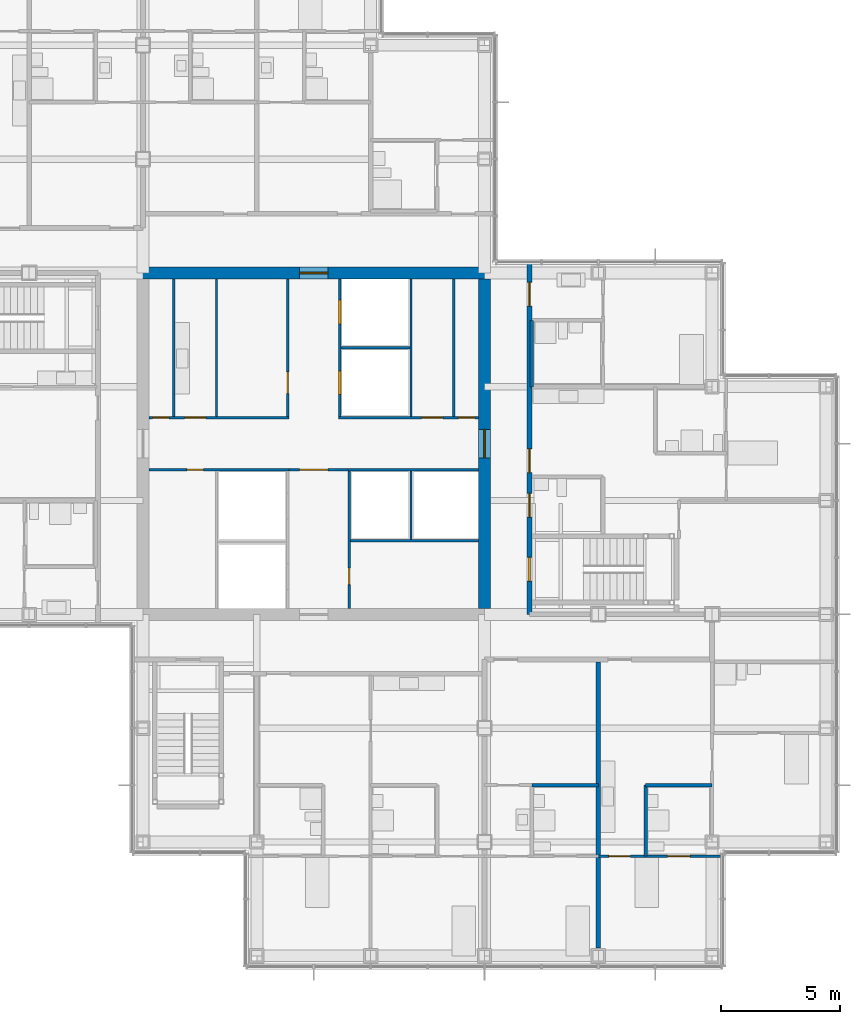
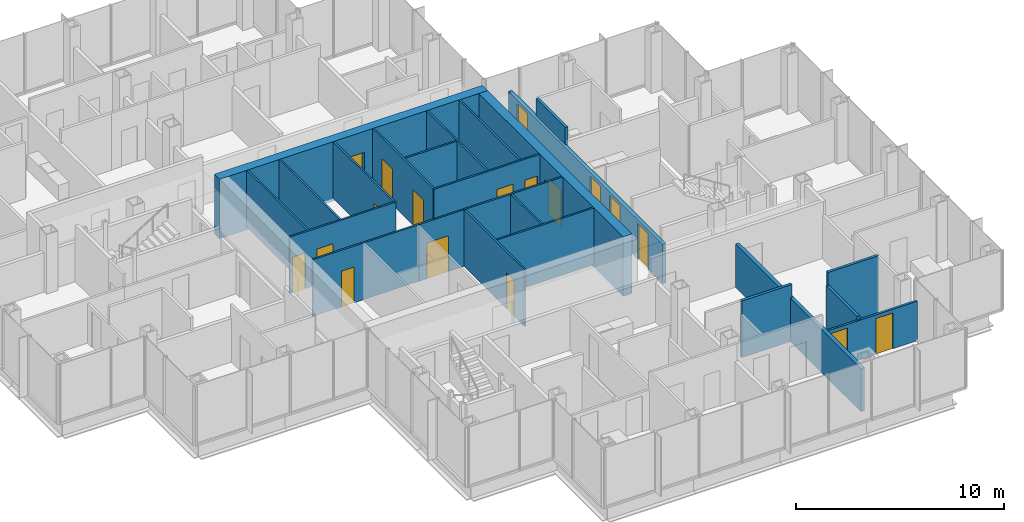
# One storey, part 15 of 20: 24 walls, 18 doors, 18 openings.
"""IFC4 building model written with IfcOpenShell, lengths in metres."""

from ifc_helpers import new_model, si_unit, direction, frame, frame_2d, origin, place, context, subcontext, project, spatial, rectangle, extrude, material, layer, layer_set, type_object, element, fill, save


model = new_model("IFC4")

# Units and contexts
model_context = context("Model", 3, precision=1e-05, world=origin(), true_north=direction((0.0, 1.0)))
body_context = subcontext(model_context, "Body", "Model", "MODEL_VIEW")
ifc_project = project(units=[si_unit("LENGTHUNIT", "METRE"), si_unit("AREAUNIT", "SQUARE_METRE"), si_unit("VOLUMEUNIT", "CUBIC_METRE"), si_unit("PLANEANGLEUNIT", "RADIAN"), si_unit("MASSUNIT", "GRAM", prefix="KILO")], contexts=[model_context])

# Site, building, storey
site_placement = place(None, origin())
site = spatial("IfcSite", under=ifc_project, at=site_placement, CompositionType="ELEMENT")
building_placement = place(site_placement, origin())
building = spatial("IfcBuilding", under=site, at=building_placement, Name="Kvirike Care Tower", CompositionType="ELEMENT")
storey_placement = place(building_placement, frame((0.0, 0.0, 122.5)))
storey = spatial("IfcBuildingStorey", under=building, at=storey_placement, Name="L33", CompositionType="ELEMENT", Elevation=122.5)

# Walls
ifc_material_1 = material(Name="Moisture-resistant board partition", Category="gypsum")
ifc_layer_1 = layer(ifc_material_1, 0.14990234375)
ifc_layer_set_1 = layer_set([ifc_layer_1], Name="BATHROOM WALL 150")
wall_type_1 = type_object("IfcWallType", Name="BATHROOM WALL 150", PredefinedType="PARTITIONING", material=ifc_layer_set_1)
wall_1_placement = place(storey_placement, frame((30.800048828125, 21.60009765625, 0.0), z_axis=(0.0, 0.0, 1.0), x_axis=(1.0, 0.0, 0.0)))
element("IfcWall", 1, at=wall_1_placement, inside=storey, type_object=wall_type_1, Name="Bathroom Wall 150 L33", PredefinedType="PARTITIONING", context=body_context, shape_type="SweptSolid", body=[
    extrude(rectangle(XDim=2.800048828125, YDim=0.14990234375, at=frame_2d((1.39990234375, 0.0))), origin(), (0.0, 0.0, 1.0), 3.330078125),
])
wall_2_placement = place(storey_placement, frame((35.60009765625, 18.60009765625, 0.0), z_axis=(0.0, 0.0, 1.0), x_axis=(0.0, 1.0, 0.0)))
element("IfcWall", 2, at=wall_2_placement, inside=storey, type_object=wall_type_1, Name="Bathroom Wall 150 L33", PredefinedType="PARTITIONING", context=body_context, shape_type="SweptSolid", body=[
    extrude(rectangle(XDim=3.0, YDim=0.14990234375, at=frame_2d((1.5, 0.0))), origin(), (0.0, 0.0, 1.0), 2.550048828125),
])
wall_3_placement = place(storey_placement, frame((35.60009765625, 21.60009765625, 0.0), z_axis=(0.0, 0.0, 1.0), x_axis=(1.0, 0.0, 0.0)))
element("IfcWall", 3, at=wall_3_placement, inside=storey, type_object=wall_type_1, Name="Bathroom Wall 150 L33", PredefinedType="PARTITIONING", context=body_context, shape_type="SweptSolid", body=[
    extrude(rectangle(XDim=2.7998046875, YDim=0.14990234375, at=frame_2d((1.39990234375, 0.0))), origin(), (0.0, 0.0, 1.0), 3.330078125),
])
wall_4_placement = place(storey_placement, frame((30.800048828125, 38.39990234375, 0.0), z_axis=(0.0, 0.0, 1.0), x_axis=(0.0, 1.0, 0.0)))
element("IfcWall", 4, at=wall_4_placement, inside=storey, type_object=wall_type_1, Name="Bathroom Wall 150 L33", PredefinedType="PARTITIONING", context=body_context, shape_type="SweptSolid", body=[
    extrude(rectangle(XDim=2.800048828125, YDim=0.14990234375, at=frame_2d((1.39990234375, 0.0))), origin(), (0.0, 0.0, 1.0), 3.330078125),
])

# Wall, opening, door
ifc_material_2 = material(Name="Concrete C50/60", Category="concrete")
ifc_layer_2 = layer(ifc_material_2, 0.5)
ifc_layer_set_2 = layer_set([ifc_layer_2], Name="CORE WALL 500 C50-60")
wall_type_2 = type_object("IfcWallType", Name="CORE WALL 500 C50-60", PredefinedType="SHEAR", material=ifc_layer_set_2)
wall_5_placement = place(storey_placement, frame((29.050048828125, 43.199951171875, -0.169921875), z_axis=(0.0, 0.0, 1.0), x_axis=(-1.0, 0.0, 0.0)))
wall_5 = element("IfcWall", 5, at=wall_5_placement, inside=storey, type_object=wall_type_2, Name="Core wall N L33", PredefinedType="SHEAR", context=body_context, shape_type="SweptSolid", body=[
    extrude(rectangle(XDim=14.900146484375, YDim=0.5, at=frame_2d((7.4501953125, 0.0))), origin(), (0.0, 0.0, 1.0), 3.5),
])
opening_1_placement = place(wall_5_placement, frame((6.85009765625, 0.0, 0.169921875)))
opening_1 = element("IfcOpeningElement", 6, at=opening_1_placement, cuts=wall_5, Name="Opening 33-071", PredefinedType="OPENING", context=body_context, shape_type="SweptSolid", body=[
    extrude(rectangle(XDim=1.199951171875, YDim=2.10009765625, at=frame_2d((0.60009765625, 1.050048828125))), frame((0.0, 0.260498046875, 0.0), z_axis=(0.0, -1.0, 0.0), x_axis=(1.0, 0.0, 0.0)), (0.0, 0.0, 1.0), 0.52099609375),
])
ifc_material_3 = material(Name="Timber door set", Category="wood")
door_type_1 = type_object("IfcDoorType", Name="CORE DOOR 1200", OperationType="SINGLE_SWING_LEFT", PredefinedType="DOOR", material=ifc_material_3)
door_1_placement = place(opening_1_placement, origin())
door_1 = element("IfcDoor", 7, at=door_1_placement, inside=storey, type_object=door_type_1, Name="Core door N L33", OperationType="SINGLE_SWING_LEFT", OverallHeight=2.10009765625, OverallWidth=1.199951171875, PredefinedType="DOOR", context=body_context, shape_type="SweptSolid", body=[
    extrude(rectangle(XDim=1.199951171875, YDim=2.10009765625, at=frame_2d((0.60009765625, 1.050048828125))), frame((0.0, 0.02685546875, 0.0), z_axis=(0.0, -1.0, 0.0), x_axis=(1.0, 0.0, 0.0)), (0.0, 0.0, 1.0), 0.053955078125),
])
fill(opening_1, door_1)

wall_6_placement = place(storey_placement, frame((28.800048828125, 29.050048828125, -0.169921875), z_axis=(0.0, 0.0, 1.0), x_axis=(0.0, 1.0, 0.0)))
wall_6 = element("IfcWall", 8, at=wall_6_placement, inside=storey, type_object=wall_type_2, Name="Core wall E L33", PredefinedType="SHEAR", context=body_context, shape_type="SweptSolid", body=[
    extrude(rectangle(XDim=13.89990234375, YDim=0.5, at=frame_2d((6.949951171875, 0.0))), origin(), (0.0, 0.0, 1.0), 3.5),
])
opening_2_placement = place(wall_6_placement, frame((6.35009765625, 0.0, 0.169921875)))
opening_2 = element("IfcOpeningElement", 9, at=opening_2_placement, cuts=wall_6, Name="Opening 33-070", PredefinedType="OPENING", context=body_context, shape_type="SweptSolid", body=[
    extrude(rectangle(XDim=1.199951171875, YDim=2.10009765625, at=frame_2d((0.60009765625, 1.050048828125))), frame((0.0, 0.260498046875, 0.0), z_axis=(0.0, -1.0, 0.0), x_axis=(1.0, 0.0, 0.0)), (0.0, 0.0, 1.0), 0.52099609375),
])
door_2_placement = place(opening_2_placement, origin())
door_2 = element("IfcDoor", 10, at=door_2_placement, inside=storey, type_object=door_type_1, Name="Core door E L33", OperationType="SINGLE_SWING_LEFT", OverallHeight=2.10009765625, OverallWidth=1.199951171875, PredefinedType="DOOR", context=body_context, shape_type="SweptSolid", body=[
    extrude(rectangle(XDim=1.199951171875, YDim=2.10009765625, at=frame_2d((0.60009765625, 1.050048828125))), frame((0.0, 0.02685546875, 0.0), z_axis=(0.0, -1.0, 0.0), x_axis=(1.0, 0.0, 0.0)), (0.0, 0.0, 1.0), 0.053955078125),
])
fill(opening_2, door_2)

# Wall, openings, doors
ifc_material_4 = material(Name="Plasterboard corridor wall", Category="gypsum")
ifc_layer_3 = layer(ifc_material_4, 0.199951171875)
ifc_layer_set_3 = layer_set([ifc_layer_3], Name="CORRIDOR WALL 200")
wall_type_3 = type_object("IfcWallType", Name="CORRIDOR WALL 200", PredefinedType="PARTITIONING", material=ifc_layer_set_3)
wall_7_placement = place(storey_placement, frame((30.699951171875, 28.800048828125, 0.0), z_axis=(0.0, 0.0, 1.0), x_axis=(0.0, 1.0, 0.0)))
wall_7 = element("IfcWall", 11, at=wall_7_placement, inside=storey, type_object=wall_type_3, Name="Corridor Wall 200 L33", PredefinedType="PARTITIONING", context=body_context, shape_type="SweptSolid", body=[
    extrude(rectangle(XDim=14.83984375, YDim=0.199951171875, at=frame_2d((7.419921875, 0.0))), origin(), (0.0, 0.0, 1.0), 2.320068359375),
])
opening_3_placement = place(wall_7_placement, frame((1.39990234375, 0.0, 0.0)))
opening_3 = element("IfcOpeningElement", 12, at=opening_3_placement, cuts=wall_7, Name="Opening 33-052", PredefinedType="OPENING", context=body_context, shape_type="SweptSolid", body=[
    extrude(rectangle(XDim=1.0, YDim=2.10009765625, at=frame_2d((0.5, 1.050048828125))), frame((0.0, 0.110595703125, 0.0), z_axis=(0.0, -1.0, 0.0), x_axis=(1.0, 0.0, 0.0)), (0.0, 0.0, 1.0), 0.220947265625),
])
opening_4_placement = place(wall_7_placement, frame((4.10009765625, 0.0, 0.0)))
opening_4 = element("IfcOpeningElement", 13, at=opening_4_placement, cuts=wall_7, Name="Opening 33-053", PredefinedType="OPENING", context=body_context, shape_type="SweptSolid", body=[
    extrude(rectangle(XDim=1.0, YDim=2.10009765625, at=frame_2d((0.5, 1.050048828125))), frame((0.0, 0.110595703125, 0.0), z_axis=(0.0, -1.0, 0.0), x_axis=(1.0, 0.0, 0.0)), (0.0, 0.0, 1.0), 0.220947265625),
])
opening_5_placement = place(wall_7_placement, frame((5.97509765625, 0.0, 0.0)))
opening_5 = element("IfcOpeningElement", 14, at=opening_5_placement, cuts=wall_7, Name="Opening 33-054", PredefinedType="OPENING", context=body_context, shape_type="SweptSolid", body=[
    extrude(rectangle(XDim=1.0, YDim=2.10009765625, at=frame_2d((0.5, 1.050048828125))), frame((0.0, 0.110595703125, 0.0), z_axis=(0.0, -1.0, 0.0), x_axis=(1.0, 0.0, 0.0)), (0.0, 0.0, 1.0), 0.220947265625),
])
opening_6_placement = place(wall_7_placement, frame((13.0, 0.0, 0.0)))
opening_6 = element("IfcOpeningElement", 15, at=opening_6_placement, cuts=wall_7, Name="Opening 33-055", PredefinedType="OPENING", context=body_context, shape_type="SweptSolid", body=[
    extrude(rectangle(XDim=1.0, YDim=2.10009765625, at=frame_2d((0.5, 1.050048828125))), frame((0.0, 0.110595703125, 0.0), z_axis=(0.0, -1.0, 0.0), x_axis=(1.0, 0.0, 0.0)), (0.0, 0.0, 1.0), 0.220947265625),
])
ifc_material_5 = material(Name="Timber door set", Category="wood")
door_type_2 = type_object("IfcDoorType", Name="FLAT ENTRANCE DOOR 1000", OperationType="SINGLE_SWING_LEFT", PredefinedType="DOOR", material=ifc_material_5)
door_3_placement = place(opening_5_placement, frame((1.0, 0.0, 0.0), z_axis=(0.0, 0.0, 1.0), x_axis=(-1.0, 0.0, 0.0)))
door_3 = element("IfcDoor", 16, at=door_3_placement, inside=storey, type_object=door_type_2, Name="Assisted living suite entrance", OperationType="SINGLE_SWING_LEFT", OverallHeight=2.10009765625, OverallWidth=1.0, PredefinedType="DOOR", context=body_context, shape_type="SweptSolid", body=[
    extrude(rectangle(XDim=1.0, YDim=2.10009765625, at=frame_2d((0.5, 1.050048828125))), frame((0.0, 0.02685546875, 0.0), z_axis=(0.0, -1.0, 0.0), x_axis=(1.0, 0.0, 0.0)), (0.0, 0.0, 1.0), 0.053955078125),
])
fill(opening_5, door_3)
door_4_placement = place(opening_6_placement, frame((1.0, 0.0, 0.0), z_axis=(0.0, 0.0, 1.0), x_axis=(-1.0, 0.0, 0.0)))
door_4 = element("IfcDoor", 17, at=door_4_placement, inside=storey, type_object=door_type_2, Name="Assisted living suite entrance", OperationType="SINGLE_SWING_RIGHT", OverallHeight=2.10009765625, OverallWidth=1.0, PredefinedType="DOOR", context=body_context, shape_type="SweptSolid", body=[
    extrude(rectangle(XDim=1.0, YDim=2.10009765625, at=frame_2d((0.5, 1.050048828125))), frame((0.0, 0.02685546875, 0.0), z_axis=(0.0, -1.0, 0.0), x_axis=(1.0, 0.0, 0.0)), (0.0, 0.0, 1.0), 0.053955078125),
])
fill(opening_6, door_4)
ifc_material_6 = material(Name="Timber door set", Category="wood")
door_type_3 = type_object("IfcDoorType", Name="STAIR DOOR 1000", OperationType="SINGLE_SWING_LEFT", PredefinedType="DOOR", material=ifc_material_6)
door_5_placement = place(opening_3_placement, frame((1.0, 0.0, 0.0), z_axis=(0.0, 0.0, 1.0), x_axis=(-1.0, 0.0, 0.0)))
door_5 = element("IfcDoor", 18, at=door_5_placement, inside=storey, type_object=door_type_3, Name="Stair 2 door", OperationType="SINGLE_SWING_RIGHT", OverallHeight=2.10009765625, OverallWidth=1.0, PredefinedType="DOOR", context=body_context, shape_type="SweptSolid", body=[
    extrude(rectangle(XDim=1.0, YDim=2.10009765625, at=frame_2d((0.5, 1.050048828125))), frame((0.0, 0.031982421875, 0.0), z_axis=(0.0, -1.0, 0.0), x_axis=(1.0, 0.0, 0.0)), (0.0, 0.0, 1.0), 0.06396484375),
])
fill(opening_3, door_5)
ifc_material_7 = material(Name="Timber door set", Category="wood")
door_type_4 = type_object("IfcDoorType", Name="WC DOOR 1000", OperationType="SINGLE_SWING_LEFT", PredefinedType="DOOR", material=ifc_material_7)
door_6_placement = place(opening_4_placement, frame((1.0, 0.0, 0.0), z_axis=(0.0, 0.0, 1.0), x_axis=(-1.0, 0.0, 0.0)))
door_6 = element("IfcDoor", 19, at=door_6_placement, inside=storey, type_object=door_type_4, Name="Accessible WC door", OperationType="SINGLE_SWING_LEFT", OverallHeight=2.10009765625, OverallWidth=1.0, PredefinedType="DOOR", context=body_context, shape_type="SweptSolid", body=[
    extrude(rectangle(XDim=1.0, YDim=2.10009765625, at=frame_2d((0.5, 1.050048828125))), frame((0.0, 0.02685546875, 0.0), z_axis=(0.0, -1.0, 0.0), x_axis=(1.0, 0.0, 0.0)), (0.0, 0.0, 1.0), 0.053955078125),
])
fill(opening_4, door_6)

ifc_material_8 = material(Name="Plasterboard partition", Category="gypsum")
ifc_layer_4 = layer(ifc_material_8, 0.1201171875)
ifc_layer_set_4 = layer_set([ifc_layer_4], Name="PARTITION 120")
wall_type_4 = type_object("IfcWallType", Name="PARTITION 120", PredefinedType="PARTITIONING", material=ifc_layer_set_4)
wall_8_placement = place(storey_placement, frame((33.60009765625, 18.60009765625, 0.0), z_axis=(0.0, 0.0, 1.0), x_axis=(1.0, 0.0, 0.0)))
wall_8 = element("IfcWall", 20, at=wall_8_placement, inside=storey, type_object=wall_type_4, Name="Partition 120 L33", PredefinedType="PARTITIONING", context=body_context, shape_type="SweptSolid", body=[
    extrude(rectangle(XDim=5.239990234375, YDim=0.1201171875, at=frame_2d((2.6201171875, 0.0))), origin(), (0.0, 0.0, 1.0), 2.320068359375),
])
opening_7_placement = place(wall_8_placement, frame((0.449951171875, 0.0, 0.0)))
opening_7 = element("IfcOpeningElement", 21, at=opening_7_placement, cuts=wall_8, Name="Opening 33-041", PredefinedType="OPENING", context=body_context, shape_type="SweptSolid", body=[
    extrude(rectangle(XDim=0.89990234375, YDim=2.10009765625, at=frame_2d((0.449951171875, 1.050048828125))), frame((0.0, 0.070556640625, 0.0), z_axis=(0.0, -1.0, 0.0), x_axis=(1.0, 0.0, 0.0)), (0.0, 0.0, 1.0), 0.14111328125),
])
opening_8_placement = place(wall_8_placement, frame((2.925048828125, 0.0, 0.0)))
opening_8 = element("IfcOpeningElement", 22, at=opening_8_placement, cuts=wall_8, Name="Opening 33-042", PredefinedType="OPENING", context=body_context, shape_type="SweptSolid", body=[
    extrude(rectangle(XDim=0.949951171875, YDim=2.10009765625, at=frame_2d((0.47509765625, 1.050048828125))), frame((0.0, 0.070556640625, 0.0), z_axis=(0.0, -1.0, 0.0), x_axis=(1.0, 0.0, 0.0)), (0.0, 0.0, 1.0), 0.14111328125),
])
ifc_material_9 = material(Name="Timber door set", Category="wood")
door_type_5 = type_object("IfcDoorType", Name="EN-SUITE SLIDING DOOR 950", OperationType="SLIDING_TO_LEFT", PredefinedType="DOOR", material=ifc_material_9)
door_7_placement = place(opening_8_placement, origin())
door_7 = element("IfcDoor", 23, at=door_7_placement, inside=storey, type_object=door_type_5, Name="En-suite door", OperationType="SLIDING_TO_LEFT", OverallHeight=2.10009765625, OverallWidth=0.949951171875, PredefinedType="DOOR", context=body_context, shape_type="SweptSolid", body=[
    extrude(rectangle(XDim=0.949951171875, YDim=2.10009765625, at=frame_2d((0.47509765625, 1.050048828125))), frame((0.0, 0.02197265625, 0.0), z_axis=(0.0, -1.0, 0.0), x_axis=(1.0, 0.0, 0.0)), (0.0, 0.0, 1.0), 0.0439453125),
])
fill(opening_8, door_7)
ifc_material_10 = material(Name="Timber door set", Category="wood")
door_type_6 = type_object("IfcDoorType", Name="INTERNAL DOOR 900", OperationType="SINGLE_SWING_LEFT", PredefinedType="DOOR", material=ifc_material_10)
door_8_placement = place(opening_7_placement, frame((0.89990234375, 0.0, 0.0), z_axis=(0.0, 0.0, 1.0), x_axis=(-1.0, 0.0, 0.0)))
door_8 = element("IfcDoor", 24, at=door_8_placement, inside=storey, type_object=door_type_6, Name="Assisted living suite door", OperationType="SINGLE_SWING_LEFT", OverallHeight=2.10009765625, OverallWidth=0.89990234375, PredefinedType="DOOR", context=body_context, shape_type="SweptSolid", body=[
    extrude(rectangle(XDim=0.89990234375, YDim=2.10009765625, at=frame_2d((0.449951171875, 1.050048828125))), frame((0.0, 0.02197265625, 0.0), z_axis=(0.0, -1.0, 0.0), x_axis=(1.0, 0.0, 0.0)), (0.0, 0.0, 1.0), 0.0439453125),
])
fill(opening_7, door_8)

# Walls
ifc_material_11 = material(Name="Plasterboard party wall", Category="gypsum")
ifc_layer_5 = layer(ifc_material_11, 0.199951171875)
ifc_layer_set_5 = layer_set([ifc_layer_5], Name="PARTY WALL 200")
wall_type_5 = type_object("IfcWallType", Name="PARTY WALL 200", PredefinedType="PARTITIONING", material=ifc_layer_set_5)
wall_9_placement = place(storey_placement, frame((33.60009765625, 14.719970703125, 0.0), z_axis=(0.0, 0.0, 1.0), x_axis=(0.0, 1.0, 0.0)))
element("IfcWall", 25, at=wall_9_placement, inside=storey, type_object=wall_type_5, Name="Party Wall 200 L33", PredefinedType="PARTITIONING", context=body_context, shape_type="SweptSolid", body=[
    extrude(rectangle(XDim=12.080078125, YDim=0.199951171875, at=frame_2d((6.0400390625, 0.0))), origin(), (0.0, 0.0, 1.0), 2.550048828125),
])
ifc_material_12 = material(Name="Gypsum shaft wall system", Category="gypsum")
ifc_layer_6 = layer(ifc_material_12, 0.10009765625)
ifc_layer_set_6 = layer_set([ifc_layer_6], Name="SHAFT WALL 100")
wall_type_6 = type_object("IfcWallType", Name="SHAFT WALL 100", PredefinedType="SOLIDWALL", material=ifc_layer_set_6)
for number, where, z_axis, x_axis, name in (
    (26, (15.699951171875, 37.14990234375, 0.0), (0.0, 0.0, 1.0), (0.0, 1.0, 0.0), "Shaft Wall 100 L33"),
    (27, (27.5, 37.14990234375, 0.0), (0.0, 0.0, 1.0), (0.0, 1.0, 0.0), "Shaft Wall 100 L33"),
):
    element("IfcWall", number, at=place(storey_placement, frame(where, z_axis=z_axis, x_axis=x_axis)), inside=storey, type_object=wall_type_6, Name=name, PredefinedType="SOLIDWALL", context=body_context, shape_type="SweptSolid", body=[
        extrude(rectangle(XDim=5.800048828125, YDim=0.10009765625, at=frame_2d((2.89990234375, 0.0))), origin(), (0.0, 0.0, 1.0), 3.330078125),
    ])

# Wall, opening, door
wall_10_placement = place(storey_placement, frame((20.5, 37.14990234375, 0.0), z_axis=(0.0, 0.0, 1.0), x_axis=(0.0, 1.0, 0.0)))
wall_10 = element("IfcWall", 28, at=wall_10_placement, inside=storey, type_object=wall_type_6, Name="Shaft Wall 100 L33", PredefinedType="SOLIDWALL", context=body_context, shape_type="SweptSolid", body=[
    extrude(rectangle(XDim=5.800048828125, YDim=0.10009765625, at=frame_2d((2.89990234375, 0.0))), origin(), (0.0, 0.0, 1.0), 3.330078125),
])
opening_9_placement = place(wall_10_placement, frame((0.97509765625, 0.0, 0.0)))
opening_9 = element("IfcOpeningElement", 29, at=opening_9_placement, cuts=wall_10, Name="Opening 33-058", PredefinedType="OPENING", context=body_context, shape_type="SweptSolid", body=[
    extrude(rectangle(XDim=0.89990234375, YDim=2.10009765625, at=frame_2d((0.449951171875, 1.050048828125))), frame((0.0, 0.060546875, 0.0), z_axis=(0.0, -1.0, 0.0), x_axis=(1.0, 0.0, 0.0)), (0.0, 0.0, 1.0), 0.12109375),
])
ifc_material_13 = material(Name="Timber door set", Category="wood")
door_type_7 = type_object("IfcDoorType", Name="STORE DOOR 900", OperationType="SINGLE_SWING_LEFT", PredefinedType="DOOR", material=ifc_material_13)
door_9_placement = place(opening_9_placement, origin())
door_9 = element("IfcDoor", 30, at=door_9_placement, inside=storey, type_object=door_type_7, Name="Records store door", OperationType="SINGLE_SWING_RIGHT", OverallHeight=2.10009765625, OverallWidth=0.89990234375, PredefinedType="DOOR", context=body_context, shape_type="SweptSolid", body=[
    extrude(rectangle(XDim=0.89990234375, YDim=2.10009765625, at=frame_2d((0.449951171875, 1.050048828125))), frame((0.0, 0.02685546875, 0.0), z_axis=(0.0, -1.0, 0.0), x_axis=(1.0, 0.0, 0.0)), (0.0, 0.0, 1.0), 0.053955078125),
])
fill(opening_9, door_9)

# Wall, openings, doors
wall_11_placement = place(storey_placement, frame((22.699951171875, 37.14990234375, 0.0), z_axis=(0.0, 0.0, 1.0), x_axis=(0.0, 1.0, 0.0)))
wall_11 = element("IfcWall", 31, at=wall_11_placement, inside=storey, type_object=wall_type_6, Name="Shaft Wall 100 L33", PredefinedType="SOLIDWALL", context=body_context, shape_type="SweptSolid", body=[
    extrude(rectangle(XDim=5.800048828125, YDim=0.10009765625, at=frame_2d((2.89990234375, 0.0))), origin(), (0.0, 0.0, 1.0), 3.330078125),
])
opening_10_placement = place(wall_11_placement, frame((0.925048828125, 0.0, 0.0)))
opening_10 = element("IfcOpeningElement", 32, at=opening_10_placement, cuts=wall_11, Name="Opening 33-059", PredefinedType="OPENING", context=body_context, shape_type="SweptSolid", body=[
    extrude(rectangle(XDim=1.0, YDim=2.10009765625, at=frame_2d((0.5, 1.050048828125))), frame((0.0, 0.060546875, 0.0), z_axis=(0.0, -1.0, 0.0), x_axis=(1.0, 0.0, 0.0)), (0.0, 0.0, 1.0), 0.12109375),
])
opening_11_placement = place(wall_11_placement, frame((3.89990234375, 0.0, 0.0)))
opening_11 = element("IfcOpeningElement", 33, at=opening_11_placement, cuts=wall_11, Name="Opening 33-060", PredefinedType="OPENING", context=body_context, shape_type="SweptSolid", body=[
    extrude(rectangle(XDim=1.0, YDim=2.10009765625, at=frame_2d((0.5, 1.050048828125))), frame((0.0, 0.060546875, 0.0), z_axis=(0.0, -1.0, 0.0), x_axis=(1.0, 0.0, 0.0)), (0.0, 0.0, 1.0), 0.12109375),
])
ifc_material_14 = material(Name="Aluminium door frame", Category="aluminium")
door_type_8 = type_object("IfcDoorType", Name="LIFT LANDING DOOR 1000", OperationType="SLIDING_TO_LEFT", PredefinedType="DOOR", material=ifc_material_14)
door_10_placement = place(opening_10_placement, origin())
door_10 = element("IfcDoor", 34, at=door_10_placement, inside=storey, type_object=door_type_8, Name="Lift P3 landing door", OperationType="SLIDING_TO_LEFT", OverallHeight=2.10009765625, OverallWidth=1.0, PredefinedType="DOOR", context=body_context, shape_type="SweptSolid", body=[
    extrude(rectangle(XDim=1.0, YDim=2.10009765625, at=frame_2d((0.5, 1.050048828125))), frame((0.0, 0.0498046875, 0.0), z_axis=(0.0, -1.0, 0.0), x_axis=(1.0, 0.0, 0.0)), (0.0, 0.0, 1.0), 0.099609375),
])
fill(opening_10, door_10)
door_11_placement = place(opening_11_placement, origin())
door_11 = element("IfcDoor", 35, at=door_11_placement, inside=storey, type_object=door_type_8, Name="Lift P4 landing door", OperationType="SLIDING_TO_LEFT", OverallHeight=2.10009765625, OverallWidth=1.0, PredefinedType="DOOR", context=body_context, shape_type="SweptSolid", body=[
    extrude(rectangle(XDim=1.0, YDim=2.10009765625, at=frame_2d((0.5, 1.050048828125))), frame((0.0, 0.0498046875, 0.0), z_axis=(0.0, -1.0, 0.0), x_axis=(1.0, 0.0, 0.0)), (0.0, 0.0, 1.0), 0.099609375),
])
fill(opening_11, door_11)

# Wall, opening, door
wall_12_placement = place(storey_placement, frame((23.10009765625, 29.050048828125, 0.0), z_axis=(0.0, 0.0, 1.0), x_axis=(0.0, 1.0, 0.0)))
wall_12 = element("IfcWall", 36, at=wall_12_placement, inside=storey, type_object=wall_type_6, Name="Shaft Wall 100 L33", PredefinedType="SOLIDWALL", context=body_context, shape_type="SweptSolid", body=[
    extrude(rectangle(XDim=5.800048828125, YDim=0.10009765625, at=frame_2d((2.89990234375, 0.0))), origin(), (0.0, 0.0, 1.0), 3.330078125),
])
opening_12_placement = place(wall_12_placement, frame((1.0, 0.0, 0.0)))
opening_12 = element("IfcOpeningElement", 37, at=opening_12_placement, cuts=wall_12, Name="Opening 33-061", PredefinedType="OPENING", context=body_context, shape_type="SweptSolid", body=[
    extrude(rectangle(XDim=0.699951171875, YDim=2.10009765625, at=frame_2d((0.35009765625, 1.050048828125))), frame((0.0, 0.060546875, 0.0), z_axis=(0.0, -1.0, 0.0), x_axis=(1.0, 0.0, 0.0)), (0.0, 0.0, 1.0), 0.12109375),
])
ifc_material_15 = material(Name="Timber door set", Category="wood")
door_type_9 = type_object("IfcDoorType", Name="RISER DOOR 700", OperationType="SINGLE_SWING_LEFT", PredefinedType="DOOR", material=ifc_material_15)
door_12_placement = place(opening_12_placement, origin())
door_12 = element("IfcDoor", 38, at=door_12_placement, inside=storey, type_object=door_type_9, Name="Riser door", OperationType="SINGLE_SWING_RIGHT", OverallHeight=2.10009765625, OverallWidth=0.699951171875, PredefinedType="DOOR", context=body_context, shape_type="SweptSolid", body=[
    extrude(rectangle(XDim=0.699951171875, YDim=2.10009765625, at=frame_2d((0.35009765625, 1.050048828125))), frame((0.0, 0.02685546875, 0.0), z_axis=(0.0, -1.0, 0.0), x_axis=(1.0, 0.0, 0.0)), (0.0, 0.0, 1.0), 0.053955078125),
])
fill(opening_12, door_12)

wall_13_placement = place(storey_placement, frame((14.64990234375, 34.89990234375, 0.0), z_axis=(0.0, 0.0, 1.0), x_axis=(1.0, 0.0, 0.0)))
wall_13 = element("IfcWall", 39, at=wall_13_placement, inside=storey, type_object=wall_type_6, Name="Shaft Wall 100 L33", PredefinedType="SOLIDWALL", context=body_context, shape_type="SweptSolid", body=[
    extrude(rectangle(XDim=5.900146484375, YDim=0.10009765625, at=frame_2d((2.9501953125, 0.0))), origin(), (0.0, 0.0, 1.0), 3.330078125),
])
opening_13_placement = place(wall_13_placement, frame((1.60009765625, 0.0, 0.0)))
opening_13 = element("IfcOpeningElement", 40, at=opening_13_placement, cuts=wall_13, Name="Opening 33-062", PredefinedType="OPENING", context=body_context, shape_type="SweptSolid", body=[
    extrude(rectangle(XDim=0.699951171875, YDim=2.10009765625, at=frame_2d((0.35009765625, 1.050048828125))), frame((0.0, 0.060546875, 0.0), z_axis=(0.0, -1.0, 0.0), x_axis=(1.0, 0.0, 0.0)), (0.0, 0.0, 1.0), 0.12109375),
])
door_13_placement = place(opening_13_placement, frame((0.699951171875, 0.0, 0.0), z_axis=(0.0, 0.0, 1.0), x_axis=(-1.0, 0.0, 0.0)))
door_13 = element("IfcDoor", 41, at=door_13_placement, inside=storey, type_object=door_type_9, Name="Riser door", OperationType="SINGLE_SWING_RIGHT", OverallHeight=2.10009765625, OverallWidth=0.699951171875, PredefinedType="DOOR", context=body_context, shape_type="SweptSolid", body=[
    extrude(rectangle(XDim=0.699951171875, YDim=2.10009765625, at=frame_2d((0.35009765625, 1.050048828125))), frame((0.0, 0.02685546875, 0.0), z_axis=(0.0, -1.0, 0.0), x_axis=(1.0, 0.0, 0.0)), (0.0, 0.0, 1.0), 0.053955078125),
])
fill(opening_13, door_13)

# Wall
wall_14_placement = place(storey_placement, frame((23.050048828125, 34.89990234375, 0.0), z_axis=(0.0, 0.0, 1.0), x_axis=(1.0, 0.0, 0.0)))
element("IfcWall", 42, at=wall_14_placement, inside=storey, type_object=wall_type_6, Name="Shaft Wall 100 L33", PredefinedType="SOLIDWALL", context=body_context, shape_type="SweptSolid", body=[
    extrude(rectangle(XDim=5.5, YDim=0.10009765625, at=frame_2d((2.75, 0.0))), origin(), (0.0, 0.0, 1.0), 3.330078125),
])

# Wall, openings, doors
wall_15_placement = place(storey_placement, frame((14.64990234375, 37.10009765625, 0.0), z_axis=(0.0, 0.0, 1.0), x_axis=(1.0, 0.0, 0.0)))
wall_15 = element("IfcWall", 43, at=wall_15_placement, inside=storey, type_object=wall_type_6, Name="Shaft Wall 100 L33", PredefinedType="SOLIDWALL", context=body_context, shape_type="SweptSolid", body=[
    extrude(rectangle(XDim=5.900146484375, YDim=0.10009765625, at=frame_2d((2.9501953125, 0.0))), origin(), (0.0, 0.0, 1.0), 3.330078125),
])
opening_14_placement = place(wall_15_placement, frame((0.14990234375, 0.0, 0.0)))
opening_14 = element("IfcOpeningElement", 44, at=opening_14_placement, cuts=wall_15, Name="Opening 33-063", PredefinedType="OPENING", context=body_context, shape_type="SweptSolid", body=[
    extrude(rectangle(XDim=0.699951171875, YDim=2.10009765625, at=frame_2d((0.35009765625, 1.050048828125))), frame((0.0, 0.060546875, 0.0), z_axis=(0.0, -1.0, 0.0), x_axis=(1.0, 0.0, 0.0)), (0.0, 0.0, 1.0), 0.12109375),
])
opening_15_placement = place(wall_15_placement, frame((1.5, 0.0, 0.0)))
opening_15 = element("IfcOpeningElement", 45, at=opening_15_placement, cuts=wall_15, Name="Opening 33-064", PredefinedType="OPENING", context=body_context, shape_type="SweptSolid", body=[
    extrude(rectangle(XDim=0.89990234375, YDim=2.10009765625, at=frame_2d((0.449951171875, 1.050048828125))), frame((0.0, 0.060546875, 0.0), z_axis=(0.0, -1.0, 0.0), x_axis=(1.0, 0.0, 0.0)), (0.0, 0.0, 1.0), 0.12109375),
])
door_14_placement = place(opening_14_placement, origin())
door_14 = element("IfcDoor", 46, at=door_14_placement, inside=storey, type_object=door_type_9, Name="Riser door", OperationType="SINGLE_SWING_LEFT", OverallHeight=2.10009765625, OverallWidth=0.699951171875, PredefinedType="DOOR", context=body_context, shape_type="SweptSolid", body=[
    extrude(rectangle(XDim=0.699951171875, YDim=2.10009765625, at=frame_2d((0.35009765625, 1.050048828125))), frame((0.0, 0.02685546875, 0.0), z_axis=(0.0, -1.0, 0.0), x_axis=(1.0, 0.0, 0.0)), (0.0, 0.0, 1.0), 0.053955078125),
])
fill(opening_14, door_14)
door_15_placement = place(opening_15_placement, origin())
door_15 = element("IfcDoor", 47, at=door_15_placement, inside=storey, type_object=door_type_7, Name="Resident pantry door", OperationType="SINGLE_SWING_LEFT", OverallHeight=2.10009765625, OverallWidth=0.89990234375, PredefinedType="DOOR", context=body_context, shape_type="SweptSolid", body=[
    extrude(rectangle(XDim=0.89990234375, YDim=2.10009765625, at=frame_2d((0.449951171875, 1.050048828125))), frame((0.0, 0.02685546875, 0.0), z_axis=(0.0, -1.0, 0.0), x_axis=(1.0, 0.0, 0.0)), (0.0, 0.0, 1.0), 0.053955078125),
])
fill(opening_15, door_15)

wall_16_placement = place(storey_placement, frame((22.64990234375, 37.10009765625, 0.0), z_axis=(0.0, 0.0, 1.0), x_axis=(1.0, 0.0, 0.0)))
wall_16 = element("IfcWall", 48, at=wall_16_placement, inside=storey, type_object=wall_type_6, Name="Shaft Wall 100 L33", PredefinedType="SOLIDWALL", context=body_context, shape_type="SweptSolid", body=[
    extrude(rectangle(XDim=5.900146484375, YDim=0.10009765625, at=frame_2d((2.9501953125, 0.0))), origin(), (0.0, 0.0, 1.0), 3.330078125),
])
opening_16_placement = place(wall_16_placement, frame((3.5, 0.0, 0.0)))
opening_16 = element("IfcOpeningElement", 49, at=opening_16_placement, cuts=wall_16, Name="Opening 33-065", PredefinedType="OPENING", context=body_context, shape_type="SweptSolid", body=[
    extrude(rectangle(XDim=0.89990234375, YDim=2.10009765625, at=frame_2d((0.449951171875, 1.050048828125))), frame((0.0, 0.060546875, 0.0), z_axis=(0.0, -1.0, 0.0), x_axis=(1.0, 0.0, 0.0)), (0.0, 0.0, 1.0), 0.12109375),
])
opening_17_placement = place(wall_16_placement, frame((5.050048828125, 0.0, 0.0)))
opening_17 = element("IfcOpeningElement", 50, at=opening_17_placement, cuts=wall_16, Name="Opening 33-066", PredefinedType="OPENING", context=body_context, shape_type="SweptSolid", body=[
    extrude(rectangle(XDim=0.699951171875, YDim=2.10009765625, at=frame_2d((0.35009765625, 1.050048828125))), frame((0.0, 0.060546875, 0.0), z_axis=(0.0, -1.0, 0.0), x_axis=(1.0, 0.0, 0.0)), (0.0, 0.0, 1.0), 0.12109375),
])
door_16_placement = place(opening_17_placement, origin())
door_16 = element("IfcDoor", 51, at=door_16_placement, inside=storey, type_object=door_type_9, Name="Riser door", OperationType="SINGLE_SWING_RIGHT", OverallHeight=2.10009765625, OverallWidth=0.699951171875, PredefinedType="DOOR", context=body_context, shape_type="SweptSolid", body=[
    extrude(rectangle(XDim=0.699951171875, YDim=2.10009765625, at=frame_2d((0.35009765625, 1.050048828125))), frame((0.0, 0.02685546875, 0.0), z_axis=(0.0, -1.0, 0.0), x_axis=(1.0, 0.0, 0.0)), (0.0, 0.0, 1.0), 0.053955078125),
])
fill(opening_17, door_16)
door_17_placement = place(opening_16_placement, origin())
door_17 = element("IfcDoor", 52, at=door_17_placement, inside=storey, type_object=door_type_7, Name="Cleaners store door", OperationType="SINGLE_SWING_LEFT", OverallHeight=2.10009765625, OverallWidth=0.89990234375, PredefinedType="DOOR", context=body_context, shape_type="SweptSolid", body=[
    extrude(rectangle(XDim=0.89990234375, YDim=2.10009765625, at=frame_2d((0.449951171875, 1.050048828125))), frame((0.0, 0.02685546875, 0.0), z_axis=(0.0, -1.0, 0.0), x_axis=(1.0, 0.0, 0.0)), (0.0, 0.0, 1.0), 0.053955078125),
])
fill(opening_16, door_17)

# Wall, opening, door
wall_17_placement = place(storey_placement, frame((20.550048828125, 34.89990234375, 0.0), z_axis=(0.0, 0.0, 1.0), x_axis=(1.0, 0.0, 0.0)))
wall_17 = element("IfcWall", 53, at=wall_17_placement, inside=storey, type_object=wall_type_6, Name="Shaft Wall 100 L33", PredefinedType="SOLIDWALL", context=body_context, shape_type="SweptSolid", body=[
    extrude(rectangle(XDim=2.5, YDim=0.10009765625, at=frame_2d((1.25, 0.0))), origin(), (0.0, 0.0, 1.0), 3.330078125),
])
opening_18_placement = place(wall_17_placement, frame((0.449951171875, 0.0, 0.0)))
opening_18 = element("IfcOpeningElement", 54, at=opening_18_placement, cuts=wall_17, Name="Opening 33-067", PredefinedType="OPENING", context=body_context, shape_type="SweptSolid", body=[
    extrude(rectangle(XDim=1.199951171875, YDim=2.10009765625, at=frame_2d((0.60009765625, 1.050048828125))), frame((0.0, 0.060546875, 0.0), z_axis=(0.0, -1.0, 0.0), x_axis=(1.0, 0.0, 0.0)), (0.0, 0.0, 1.0), 0.12109375),
])
door_18_placement = place(opening_18_placement, frame((1.199951171875, 0.0, 0.0), z_axis=(0.0, 0.0, 1.0), x_axis=(-1.0, 0.0, 0.0)))
door_18 = element("IfcDoor", 55, at=door_18_placement, inside=storey, type_object=door_type_1, Name="Fire-fighting lobby door", OperationType="SINGLE_SWING_LEFT", OverallHeight=2.10009765625, OverallWidth=1.199951171875, PredefinedType="DOOR", context=body_context, shape_type="SweptSolid", body=[
    extrude(rectangle(XDim=1.199951171875, YDim=2.10009765625, at=frame_2d((0.60009765625, 1.050048828125))), frame((0.0, 0.02685546875, 0.0), z_axis=(0.0, -1.0, 0.0), x_axis=(1.0, 0.0, 0.0)), (0.0, 0.0, 1.0), 0.053955078125),
])
fill(opening_18, door_18)

# Walls
wall_18_placement = place(storey_placement, frame((17.5, 37.14990234375, 0.0), z_axis=(0.0, 0.0, 1.0), x_axis=(0.0, 1.0, 0.0)))
element("IfcWall", 56, at=wall_18_placement, inside=storey, type_object=wall_type_6, Name="Shaft Wall 100 L33", PredefinedType="SOLIDWALL", context=body_context, shape_type="SweptSolid", body=[
    extrude(rectangle(XDim=5.800048828125, YDim=0.10009765625, at=frame_2d((2.89990234375, 0.0))), origin(), (0.0, 0.0, 1.0), 3.330078125),
])
wall_19_placement = place(storey_placement, frame((22.75, 40.050048828125, 0.0), z_axis=(0.0, 0.0, 1.0), x_axis=(1.0, 0.0, 0.0)))
element("IfcWall", 57, at=wall_19_placement, inside=storey, type_object=wall_type_6, Name="Shaft Wall 100 L33", PredefinedType="SOLIDWALL", context=body_context, shape_type="SweptSolid", body=[
    extrude(rectangle(XDim=2.89990234375, YDim=0.10009765625, at=frame_2d((1.449951171875, 0.0))), origin(), (0.0, 0.0, 1.0), 3.330078125),
])
wall_20_placement = place(storey_placement, frame((25.699951171875, 37.14990234375, 0.0), z_axis=(0.0, 0.0, 1.0), x_axis=(0.0, 1.0, 0.0)))
element("IfcWall", 58, at=wall_20_placement, inside=storey, type_object=wall_type_6, Name="Shaft Wall 100 L33", PredefinedType="SOLIDWALL", context=body_context, shape_type="SweptSolid", body=[
    extrude(rectangle(XDim=5.800048828125, YDim=0.10009765625, at=frame_2d((2.89990234375, 0.0))), origin(), (0.0, 0.0, 1.0), 3.330078125),
])
wall_21_placement = place(storey_placement, frame((25.699951171875, 31.949951171875, 0.0), z_axis=(0.0, 0.0, 1.0), x_axis=(0.0, 1.0, 0.0)))
element("IfcWall", 59, at=wall_21_placement, inside=storey, type_object=wall_type_6, Name="Shaft Wall 100 L33", PredefinedType="SOLIDWALL", context=body_context, shape_type="SweptSolid", body=[
    extrude(rectangle(XDim=2.900146484375, YDim=0.10009765625, at=frame_2d((1.4501953125, 0.0))), origin(), (0.0, 0.0, 1.0), 3.330078125),
])
wall_22_placement = place(storey_placement, frame((23.14990234375, 31.89990234375, 0.0), z_axis=(0.0, 0.0, 1.0), x_axis=(1.0, 0.0, 0.0)))
element("IfcWall", 60, at=wall_22_placement, inside=storey, type_object=wall_type_6, Name="Shaft Wall 100 L33", PredefinedType="SOLIDWALL", context=body_context, shape_type="SweptSolid", body=[
    extrude(rectangle(XDim=5.400146484375, YDim=0.10009765625, at=frame_2d((2.7001953125, 0.0))), origin(), (0.0, 0.0, 1.0), 3.330078125),
])

save(model, "model.ifc")
